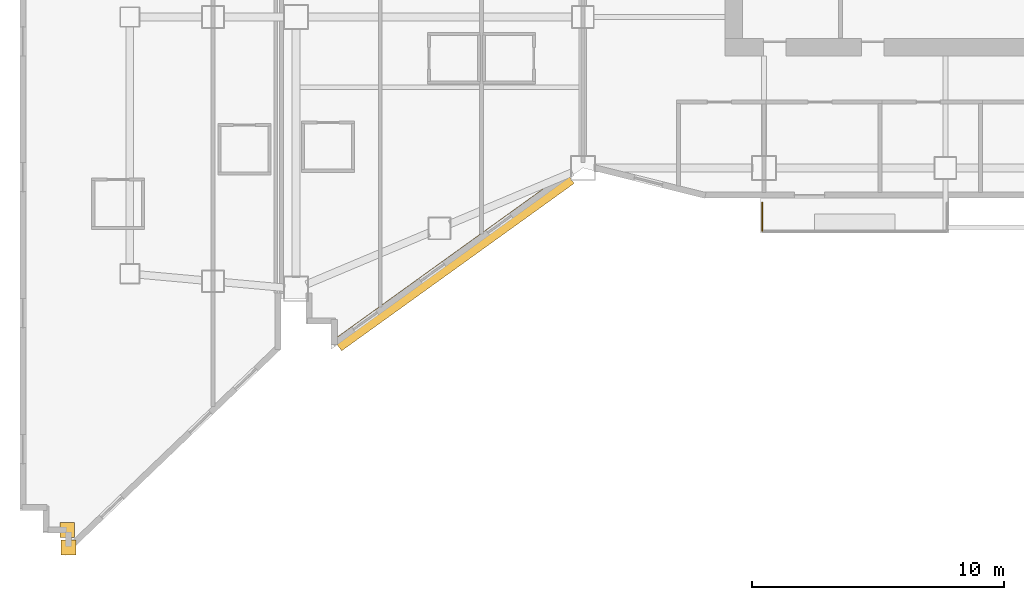
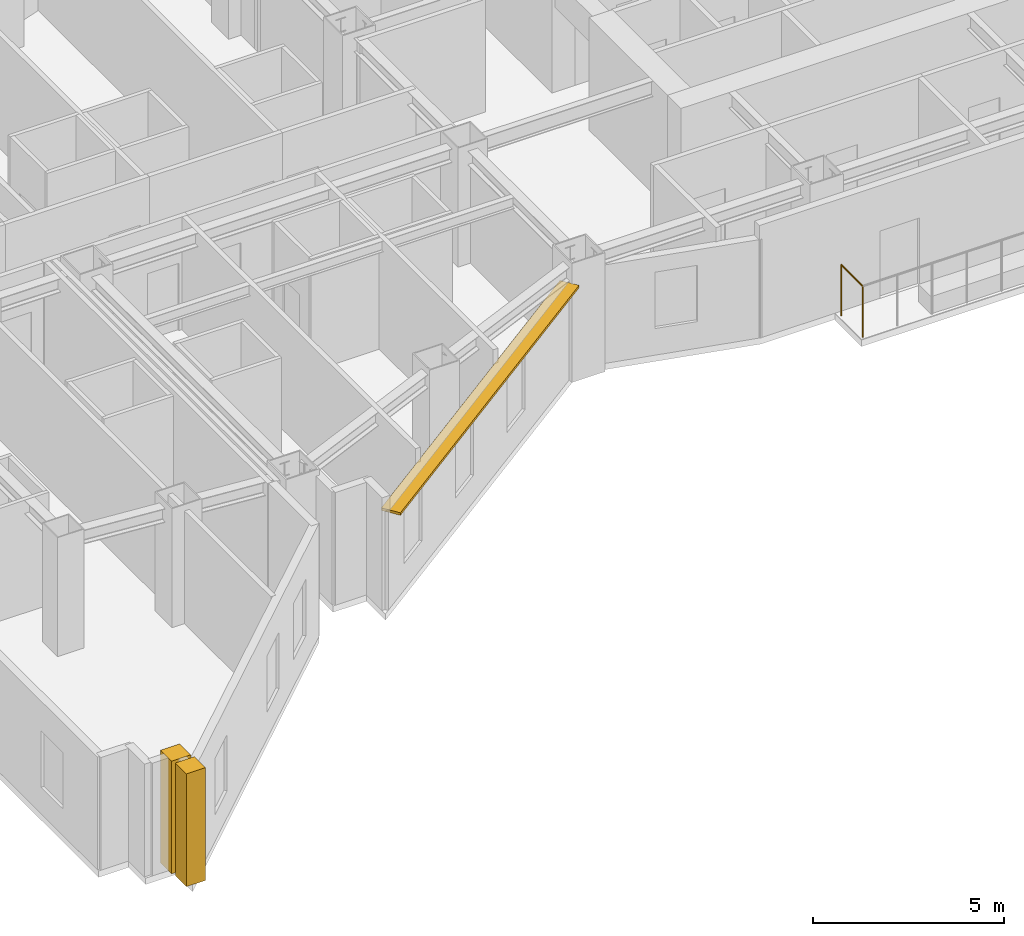
# One storey, part 13 of 16: 2 coverings, 1 railing, 1 shading device.
"""IFC4 building model written with IfcOpenShell, lengths in metres."""

from ifc_helpers import new_model, si_unit, direction, frame, origin, origin_2d, place, context, subcontext, project, spatial, rectangle, circle, extrude, material, layer, layer_set, type_object, element, save


model = new_model("IFC4")

# Units and contexts
model_context = context("Model", 3, precision=1e-05, world=origin(), true_north=direction((0.0, 1.0)))
body_context = subcontext(model_context, "Body", "Model", "MODEL_VIEW")
ifc_project = project(units=[si_unit("LENGTHUNIT", "METRE"), si_unit("AREAUNIT", "SQUARE_METRE"), si_unit("VOLUMEUNIT", "CUBIC_METRE"), si_unit("PLANEANGLEUNIT", "RADIAN"), si_unit("MASSUNIT", "GRAM", prefix="KILO")], contexts=[model_context])

# Site, building, storey
site_placement = place(None, origin())
site = spatial("IfcSite", under=ifc_project, at=site_placement, CompositionType="ELEMENT")
building_placement = place(site_placement, origin())
building = spatial("IfcBuilding", under=site, at=building_placement, Name="Haolan Belvedere Tower", CompositionType="ELEMENT")
storey_placement = place(building_placement, frame((0.0, 0.0, 125.0)))
storey = spatial("IfcBuildingStorey", under=building, at=storey_placement, Name="L31", CompositionType="ELEMENT", Elevation=125.0)

# Coverings
ifc_material_1 = material(Name="Pale champagne-silver anodised aluminium rainscreen cladding", Category="aluminium")
ifc_layer_1 = layer(ifc_material_1, 0.034912109375, Name="Pale champagne-silver anodised aluminium rainscreen cladding")
ifc_layer_set_1 = layer_set([ifc_layer_1], Name="Pale champagne-silver anodised aluminium rainscreen cladding")
covering_type = type_object("IfcCoveringType", Name="COV-CLAD-35", PredefinedType="CLADDING", material=ifc_layer_set_1)
for number, where, z_axis, x_axis, name in (
    (1, (3.517578125, 7.218017578125, 0.0), (0.0, 0.0, 1.0), (1.0, 0.0, 0.0), "L31 pale-metal serrated corner cladding trim 1"),
    (2, (3.56005859375, 6.521728515625, 0.0), (0.0, 0.0, 1.0), (1.0, 0.0, 0.0), "L31 pale-metal serrated corner cladding trim 2"),
):
    element("IfcCovering", number, at=place(storey_placement, frame(where, z_axis=z_axis, x_axis=x_axis)), inside=storey, type_object=covering_type, Name=name, PredefinedType="CLADDING", context=body_context, shape_type="SweptSolid", body=[
        extrude(rectangle(XDim=0.580078125, YDim=0.580078125, at=origin_2d()), origin(), (0.0, 0.0, 1.0), 3.60009765625),
    ])

# Railing
ifc_material_2 = material(Name="Anodised aluminium and laminated glass balustrade", Category="aluminium")
railing_type = type_object("IfcRailingType", Name="RL-TER-BAL-1150", PredefinedType="BALUSTRADE", material=ifc_material_2)
railing_placement = place(storey_placement, frame((31.1298828125, 19.10009765625, 0.0)))
element("IfcRailing", 3, at=railing_placement, inside=storey, type_object=railing_type, Name="L31 outdoor perimeter balustrade BAL-L31-1-1", PredefinedType="BALUSTRADE", context=body_context, shape_type="SweptSolid", body=[
    extrude(circle(Radius=0.02392578125, at=origin_2d()), frame((0.0, 0.0, 1.6259765625), z_axis=(0.0, 1.0, 0.0), x_axis=(-1.0, 0.0, 0.0)), (0.0, 0.0, 1.0), 1.119873046875),
    extrude(circle(Radius=0.02099609375, at=origin_2d()), origin(), (0.0, 0.0, 1.0), 1.601806640625),
    extrude(circle(Radius=0.02099609375, at=origin_2d()), frame((0.0, 1.119873046875, 0.0)), (0.0, 0.0, 1.0), 1.601806640625),
])

# Shading device
ifc_material_3 = material(Name="Anodised champagne-silver aluminium 6063-T6", Category="aluminium")
ifc_layer_2 = layer(ifc_material_3, 0.080078125, Name="Anodised champagne-silver aluminium 6063-T6")
ifc_layer_set_2 = layer_set([ifc_layer_2], Name="Anodised champagne-silver aluminium 6063-T6")
shading_device_type = type_object("IfcShadingDeviceType", Name="SHD-SUN-550", PredefinedType="USERDEFINED", material=ifc_layer_set_2)
shading_device_placement = place(storey_placement, frame((18.87353515625, 17.88427734375, 3.044921875), z_axis=(0.0, 0.0, 1.0), x_axis=(0.811533191666, 0.584306322766, 0.0)))
element("IfcShadingDevice", 4, at=shading_device_placement, inside=storey, type_object=shading_device_type, Name="L31 pale-metal horizontal SUNSHADE band 5.1", ObjectType="SUNSHADE", PredefinedType="USERDEFINED", context=body_context, shape_type="SweptSolid", body=[
    extrude(rectangle(XDim=11.383056640625, YDim=0.550048828125, at=origin_2d()), origin(), (0.0, 0.0, 1.0), 0.080078125),
])

save(model, "model.ifc")
